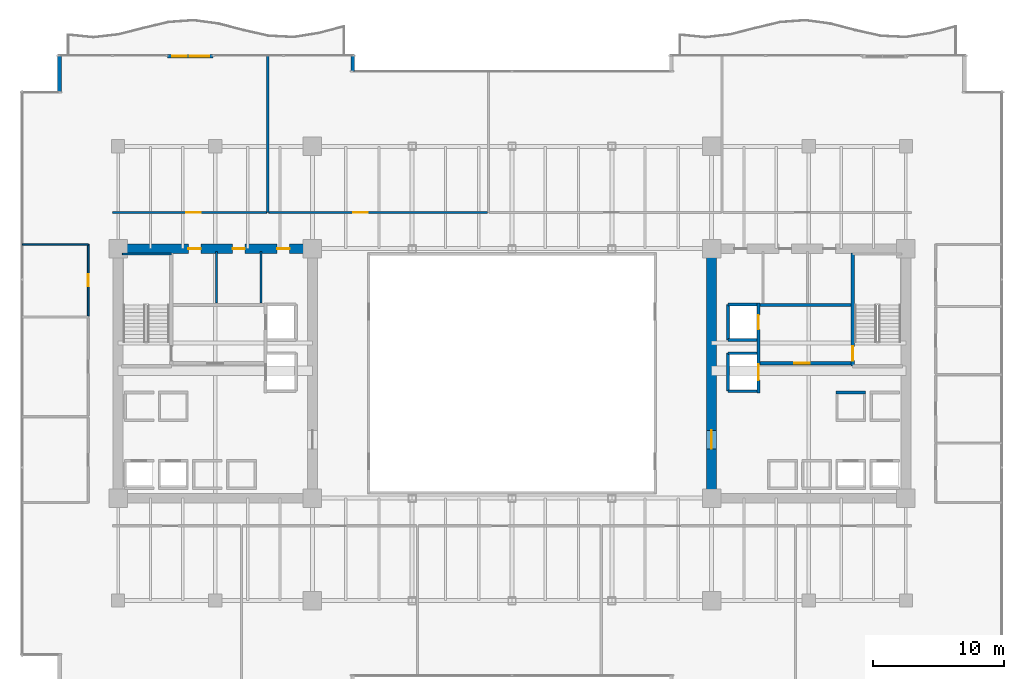
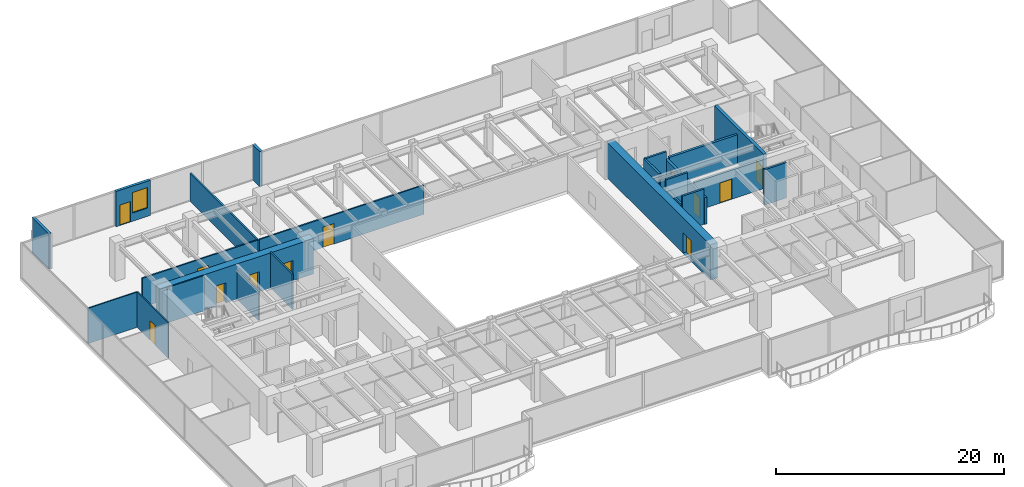
# One storey, part 26 of 31: 24 walls, 12 doors, 1 window, 13 openings.
"""IFC4 building model written with IfcOpenShell, lengths in metres."""

from ifc_helpers import new_model, si_unit, direction, frame, frame_2d, origin, place, context, subcontext, project, spatial, rectangle, extrude, source, transform, mapped, material, layer, layer_set, type_object, type_shapes, element, fill, save


model = new_model("IFC4")

# Units and contexts
model_context = context("Model", 3, precision=1e-05, world=origin(), true_north=direction((0.0, 1.0)))
body_context = subcontext(model_context, "Body", "Model", "MODEL_VIEW")
ifc_project = project(units=[si_unit("LENGTHUNIT", "METRE"), si_unit("AREAUNIT", "SQUARE_METRE"), si_unit("VOLUMEUNIT", "CUBIC_METRE"), si_unit("PLANEANGLEUNIT", "RADIAN"), si_unit("MASSUNIT", "GRAM", prefix="KILO")], contexts=[model_context])

# Site, building, storey
site_placement = place(None, origin())
site = spatial("IfcSite", under=ifc_project, at=site_placement, CompositionType="ELEMENT")
building_placement = place(site_placement, origin())
building = spatial("IfcBuilding", under=site, at=building_placement, Name="Haelvirn Gate Laboratories", CompositionType="ELEMENT")
storey_placement = place(building_placement, frame((0.0, 0.0, 62.10009765625)))
storey = spatial("IfcBuildingStorey", under=building, at=storey_placement, Name="L15", CompositionType="ELEMENT", Elevation=62.10009765625)

# Wall, openings, door, window
ifc_material_1 = material(Name="Thermally-broken bronze aluminium rainscreen & mineral wool", Category="aluminium")
ifc_layer_1 = layer(ifc_material_1, 0.280029296875, Name="EW-TERR-280")
ifc_layer_set_1 = layer_set([ifc_layer_1], Name="Thermally-broken bronze aluminium rainscreen & mineral wool")
wall_type_1 = type_object("IfcWallType", Name="EW-TERR-280", PredefinedType="STANDARD", material=ifc_layer_set_1)
wall_1_placement = place(storey_placement, frame((11.162109375, 48.4599609375, 0.0), z_axis=(0.0, 0.0, 1.0), x_axis=(1.0, 0.0, 0.0)))
wall_1 = element("IfcWall", 1, at=wall_1_placement, inside=storey, type_object=wall_type_1, Name="L15 Terrace Access Wall WB-WL-N", PredefinedType="STANDARD", context=body_context, shape_type="SweptSolid", body=[
    extrude(rectangle(XDim=3.4609375, YDim=0.280029296875, at=frame_2d((1.73046875, 0.0))), origin(), (0.0, 0.0, 1.0), 3.77978515625),
])
opening_1_placement = place(wall_1_placement, frame((0.3779296875, 0.0, 0.0)))
opening_1 = element("IfcOpeningElement", 2, at=opening_1_placement, cuts=wall_1, Name="Opening TD1", PredefinedType="OPENING", context=body_context, shape_type="SweptSolid", body=[
    extrude(rectangle(XDim=1.10009765625, YDim=2.199951171875, at=frame_2d((0.550048828125, 1.10009765625))), frame((0.0, 0.14990234375, 0.0), z_axis=(0.0, -1.0, 0.0), x_axis=(1.0, 0.0, 0.0)), (0.0, 0.0, 1.0), 0.300048828125),
])
opening_2_placement = place(wall_1_placement, frame((1.677978515625, 0.0, 0.89990234375)))
opening_2 = element("IfcOpeningElement", 3, at=opening_2_placement, cuts=wall_1, Name="Opening W3", PredefinedType="OPENING", context=body_context, shape_type="SweptSolid", body=[
    extrude(rectangle(XDim=1.5, YDim=2.199951171875, at=frame_2d((0.75, 1.10009765625))), frame((0.0, 0.14990234375, 0.0), z_axis=(0.0, -1.0, 0.0), x_axis=(1.0, 0.0, 0.0)), (0.0, 0.0, 1.0), 0.300048828125),
])
ifc_material_2 = material(Name="Thermally-broken bronze aluminium glazed terrace door", Category="aluminium")
door_type_1 = type_object("IfcDoorType", Name="DR-TERR-1100", OperationType="NOTDEFINED", PredefinedType="DOOR", material=ifc_material_2)
shared_shape_1 = source(origin(), body_context, "Body", "SweptSolid", [
    extrude(rectangle(XDim=1.10009765625, YDim=2.199951171875, at=frame_2d((0.550048828125, 1.10009765625))), frame((0.0, 0.02490234375, 0.0), z_axis=(0.0, -1.0, 0.0), x_axis=(1.0, 0.0, 0.0)), (0.0, 0.0, 1.0), 0.050048828125),
])
type_shapes(door_type_1, [shared_shape_1])
door_1_placement = place(opening_1_placement, origin())
door_1 = element("IfcDoor", 4, at=door_1_placement, inside=storey, type_object=door_type_1, Name="L15 Terrace Access Door WB-WL-N", OperationType="SINGLE_SWING_RIGHT", OverallHeight=2.199951171875, OverallWidth=1.10009765625, PredefinedType="DOOR", context=body_context, shape_type="MappedRepresentation", body=[
    mapped(shared_shape_1, transform((0.0, 0.0, 0.0), scale=1.0)),
])
fill(opening_1, door_1)
ifc_material_3 = material(Name="Bronze anodised aluminium & triple low-E glass", Category="aluminium")
window_type = type_object("IfcWindowType", Name="WIN-TERR-1600", PartitioningType="SINGLE_PANEL", PredefinedType="WINDOW", material=ifc_material_3)
shared_shape_2 = source(origin(), body_context, "Body", "SweptSolid", [
    extrude(rectangle(XDim=1.5, YDim=2.199951171875, at=frame_2d((0.75, 1.10009765625))), frame((0.0, 0.030029296875, 0.0), z_axis=(0.0, -1.0, 0.0), x_axis=(1.0, 0.0, 0.0)), (0.0, 0.0, 1.0), 0.06005859375),
])
type_shapes(window_type, [shared_shape_2])
window_placement = place(opening_2_placement, origin())
window = element("IfcWindow", 5, at=window_placement, inside=storey, type_object=window_type, Name="L15 Terrace Vision Window WB-WL-N", OverallHeight=2.199951171875, OverallWidth=1.5, PartitioningType="SINGLE_PANEL", PredefinedType="WINDOW", context=body_context, shape_type="MappedRepresentation", body=[
    mapped(shared_shape_2, transform((0.0, 0.0, 0.0), scale=1.0)),
])
fill(opening_2, window)

# Walls
wall_2_placement = place(storey_placement, frame((25.260009765625, 47.31201171875, 0.0), z_axis=(0.0, 0.0, 1.0), x_axis=(0.0, 1.0, 0.0)))
element("IfcWall", 6, at=wall_2_placement, inside=storey, type_object=wall_type_1, Name="L15 Atrium Recess Bronze Return Wall 13", PredefinedType="STANDARD", context=body_context, shape_type="SweptSolid", body=[
    extrude(rectangle(XDim=1.2880859375, YDim=0.280029296875, at=frame_2d((0.64404296875, 0.0))), origin(), (0.0, 0.0, 1.0), 3.77978515625),
])
wall_3_placement = place(storey_placement, frame((2.93994140625, 48.60009765625, 0.0), z_axis=(0.0, 0.0, 1.0), x_axis=(0.0, -1.0, 0.0)))
element("IfcWall", 7, at=wall_3_placement, inside=storey, type_object=wall_type_1, Name="L15 Atrium Recess Bronze Return Wall 15", PredefinedType="STANDARD", context=body_context, shape_type="SweptSolid", body=[
    extrude(rectangle(XDim=2.88818359375, YDim=0.280029296875, at=frame_2d((1.444091796875, 0.0))), origin(), (0.0, 0.0, 1.0), 3.77978515625),
])
ifc_material_4 = material(Name="Double-layer acoustic gypsum laboratory partition", Category="gypsum")
ifc_layer_2 = layer(ifc_material_4, 0.159912109375, Name="IW-ACOUST-160")
ifc_layer_set_2 = layer_set([ifc_layer_2], Name="Double-layer acoustic gypsum laboratory partition")
wall_type_2 = type_object("IfcWallType", Name="IW-ACOUST-160", PredefinedType="PARTITIONING", material=ifc_layer_set_2)
wall_4_placement = place(storey_placement, frame((18.800048828125, 36.56005859375, 0.0), z_axis=(0.0, 0.0, 1.0), x_axis=(0.0, 1.0, 0.0)))
element("IfcWall", 8, at=wall_4_placement, inside=storey, type_object=wall_type_2, Name="L15 Interior Wall IW-L15-NDIV-01", PredefinedType="PARTITIONING", context=body_context, shape_type="SweptSolid", body=[
    extrude(rectangle(XDim=11.929931640625, YDim=0.159912109375, at=frame_2d((5.96484375, 0.0))), origin(), (0.0, 0.0, 1.0), 3.014892578125),
])
ifc_material_5 = material(Name="Lightweight acoustic gypsum board partition", Category="gypsum")
ifc_layer_3 = layer(ifc_material_5, 0.1201171875, Name="IW-PART-120")
ifc_layer_set_3 = layer_set([ifc_layer_3], Name="Lightweight acoustic gypsum board partition")
wall_type_3 = type_object("IfcWallType", Name="IW-PART-120", PredefinedType="PARTITIONING", material=ifc_layer_set_3)
wall_5_placement = place(storey_placement, frame((0.110107421875, 34.135009765625, 0.0), z_axis=(0.0, 0.0, 1.0), x_axis=(1.0, 0.0, 0.0)))
element("IfcWall", 9, at=wall_5_placement, inside=storey, type_object=wall_type_3, Name="L15 Interior Wall IW-L15-WCAP-N", PredefinedType="PARTITIONING", context=body_context, shape_type="SweptSolid", body=[
    extrude(rectangle(XDim=5.019775390625, YDim=0.1201171875, at=frame_2d((2.509765625, 0.0))), origin(), (0.0, 0.0, 1.0), 3.77978515625),
])

# Wall, opening, door
wall_6_placement = place(storey_placement, frame((5.1298828125, 28.659912109375, 0.0), z_axis=(0.0, 0.0, 1.0), x_axis=(0.0, 1.0, 0.0)))
wall_6 = element("IfcWall", 10, at=wall_6_placement, inside=storey, type_object=wall_type_3, Name="L15 Interior Wall IW-L15-WPASS-03", PredefinedType="PARTITIONING", context=body_context, shape_type="SweptSolid", body=[
    extrude(rectangle(XDim=5.47509765625, YDim=0.1201171875, at=frame_2d((2.737548828125, 0.0))), origin(), (0.0, 0.0, 1.0), 3.77978515625),
])
opening_3_placement = place(wall_6_placement, frame((2.28759765625, 0.0, 0.0)))
opening_3 = element("IfcOpeningElement", 11, at=opening_3_placement, cuts=wall_6, Name="Opening D4", PredefinedType="OPENING", context=body_context, shape_type="SweptSolid", body=[
    extrude(rectangle(XDim=0.89990234375, YDim=2.10009765625, at=frame_2d((0.449951171875, 1.050048828125))), frame((0.0, 0.070068359375, 0.0), z_axis=(0.0, -1.0, 0.0), x_axis=(1.0, 0.0, 0.0)), (0.0, 0.0, 1.0), 0.14013671875),
])
ifc_material_6 = material(Name="Glazed aluminium-framed write-up door", Category="aluminium")
door_type_2 = type_object("IfcDoorType", Name="DR-OFF-900", OperationType="NOTDEFINED", PredefinedType="DOOR", material=ifc_material_6)
shared_shape_3 = source(origin(), body_context, "Body", "SweptSolid", [
    extrude(rectangle(XDim=0.89990234375, YDim=2.10009765625, at=frame_2d((0.449951171875, 1.050048828125))), frame((0.0, 0.02490234375, 0.0), z_axis=(0.0, -1.0, 0.0), x_axis=(1.0, 0.0, 0.0)), (0.0, 0.0, 1.0), 0.050048828125),
])
type_shapes(door_type_2, [shared_shape_3])
door_2_placement = place(opening_3_placement, origin())
door_2 = element("IfcDoor", 12, at=door_2_placement, inside=storey, type_object=door_type_2, Name="L15 Genomics Assay Laboratory Door W3", OperationType="SINGLE_SWING_LEFT", OverallHeight=2.10009765625, OverallWidth=0.89990234375, PredefinedType="DOOR", context=body_context, shape_type="MappedRepresentation", body=[
    mapped(shared_shape_3, transform((0.0, 0.0, 0.0), scale=1.0)),
])
fill(opening_3, door_2)

ifc_material_7 = material(Name="Acoustic mineral-wool gypsum board partition", Category="gypsum")
ifc_layer_4 = layer(ifc_material_7, 0.139892578125, Name="IW-PART-140")
ifc_layer_set_4 = layer_set([ifc_layer_4], Name="Acoustic mineral-wool gypsum board partition")
wall_type_4 = type_object("IfcWallType", Name="IW-PART-140", PredefinedType="PARTITIONING", material=ifc_layer_set_4)
wall_7_placement = place(storey_placement, frame((6.97998046875, 36.56005859375, 0.0), z_axis=(0.0, 0.0, 1.0), x_axis=(1.0, 0.0, 0.0)))
wall_7 = element("IfcWall", 13, at=wall_7_placement, inside=storey, type_object=wall_type_4, Name="L15 Interior Wall IW-L15-NCORR-01", PredefinedType="PARTITIONING", context=body_context, shape_type="SweptSolid", body=[
    extrude(rectangle(XDim=11.739990234375, YDim=0.139892578125, at=frame_2d((5.8701171875, 0.0))), origin(), (0.0, 0.0, 1.0), 3.114990234375),
])
opening_4_placement = place(wall_7_placement, frame((5.6181640625, 0.0, 0.0)))
opening_4 = element("IfcOpeningElement", 14, at=opening_4_placement, cuts=wall_7, Name="Opening D1", PredefinedType="OPENING", context=body_context, shape_type="SweptSolid", body=[
    extrude(rectangle(XDim=1.10009765625, YDim=2.179931640625, at=frame_2d((0.550048828125, 1.08984375))), frame((0.0, 0.080078125, 0.0), z_axis=(0.0, -1.0, 0.0), x_axis=(1.0, 0.0, 0.0)), (0.0, 0.0, 1.0), 0.159912109375),
])
ifc_material_8 = material(Name="Vision-panel acoustic solid-core timber lab door", Category="wood")
door_type_3 = type_object("IfcDoorType", Name="DR-LAB-1100", OperationType="NOTDEFINED", PredefinedType="DOOR", material=ifc_material_8)
shared_shape_4 = source(origin(), body_context, "Body", "SweptSolid", [
    extrude(rectangle(XDim=1.10009765625, YDim=2.179931640625, at=frame_2d((0.550048828125, 1.08984375))), frame((0.0, 0.02490234375, 0.0), z_axis=(0.0, -1.0, 0.0), x_axis=(1.0, 0.0, 0.0)), (0.0, 0.0, 1.0), 0.050048828125),
])
type_shapes(door_type_3, [shared_shape_4])
door_3_placement = place(opening_4_placement, origin())
door_3 = element("IfcDoor", 15, at=door_3_placement, inside=storey, type_object=door_type_3, Name="L15 Occupational Biosafety Clinic Door N1", OperationType="SINGLE_SWING_LEFT", OverallHeight=2.179931640625, OverallWidth=1.10009765625, PredefinedType="DOOR", context=body_context, shape_type="MappedRepresentation", body=[
    mapped(shared_shape_4, transform((0.0, 0.0, 0.0), scale=1.0)),
])
fill(opening_4, door_3)

wall_8_placement = place(storey_placement, frame((18.8798828125, 36.56005859375, 0.0), z_axis=(0.0, 0.0, 1.0), x_axis=(1.0, 0.0, 0.0)))
wall_8 = element("IfcWall", 16, at=wall_8_placement, inside=storey, type_object=wall_type_4, Name="L15 Interior Wall IW-L15-NCORR-02", PredefinedType="PARTITIONING", context=body_context, shape_type="SweptSolid", body=[
    extrude(rectangle(XDim=16.64013671875, YDim=0.139892578125, at=frame_2d((8.320068359375, 0.0))), origin(), (0.0, 0.0, 1.0), 3.114990234375),
])
opening_5_placement = place(wall_8_placement, frame((6.434326171875, 0.0, 0.0)))
opening_5 = element("IfcOpeningElement", 17, at=opening_5_placement, cuts=wall_8, Name="Opening D1", PredefinedType="OPENING", context=body_context, shape_type="SweptSolid", body=[
    extrude(rectangle(XDim=1.10009765625, YDim=2.179931640625, at=frame_2d((0.550048828125, 1.08984375))), frame((0.0, 0.080078125, 0.0), z_axis=(0.0, -1.0, 0.0), x_axis=(1.0, 0.0, 0.0)), (0.0, 0.0, 1.0), 0.159912109375),
])
door_4_placement = place(opening_5_placement, origin())
door_4 = element("IfcDoor", 18, at=door_4_placement, inside=storey, type_object=door_type_3, Name="L15 Floor Hydration & Tea Servery Door N2", OperationType="SINGLE_SWING_RIGHT", OverallHeight=2.179931640625, OverallWidth=1.10009765625, PredefinedType="DOOR", context=body_context, shape_type="MappedRepresentation", body=[
    mapped(shared_shape_4, transform((0.0, 0.0, 0.0), scale=1.0)),
])
fill(opening_5, door_4)

# Walls
ifc_material_9 = material(Name="Cement-board restroom plumbing chase wall", Category="gypsum")
ifc_layer_5 = layer(ifc_material_9, 0.155029296875, Name="IW-PLUMB-160")
ifc_layer_set_5 = layer_set([ifc_layer_5], Name="Cement-board restroom plumbing chase wall")
wall_type_5 = type_object("IfcWallType", Name="IW-PLUMB-160", PredefinedType="PLUMBINGWALL", material=ifc_layer_set_5)
wall_9_placement = place(storey_placement, frame((14.889892578125, 29.64990234375, 0.0), z_axis=(0.0, 0.0, 1.0), x_axis=(0.0, 1.0, 0.0)))
element("IfcWall", 19, at=wall_9_placement, inside=storey, type_object=wall_type_5, Name="L15 Interior Wall IW-L15-W-CDIV-1", PredefinedType="PLUMBINGWALL", context=body_context, shape_type="SweptSolid", body=[
    extrude(rectangle(XDim=3.93017578125, YDim=0.155029296875, at=frame_2d((1.965087890625, 0.0))), origin(), (0.0, 0.0, 1.0), 3.114990234375),
])
wall_10_placement = place(storey_placement, frame((18.2900390625, 29.64990234375, 0.0), z_axis=(0.0, 0.0, 1.0), x_axis=(0.0, 1.0, 0.0)))
element("IfcWall", 20, at=wall_10_placement, inside=storey, type_object=wall_type_5, Name="L15 Interior Wall IW-L15-W-CDIV-2", PredefinedType="PLUMBINGWALL", context=body_context, shape_type="SweptSolid", body=[
    extrude(rectangle(XDim=3.93017578125, YDim=0.155029296875, at=frame_2d((1.965087890625, 0.0))), origin(), (0.0, 0.0, 1.0), 3.77978515625),
])
ifc_material_10 = material(Name="Concrete C40/50", Category="concrete")
ifc_layer_6 = layer(ifc_material_10, 0.199951171875, Name="IW-SHAFT-200")
ifc_layer_set_6 = layer_set([ifc_layer_6], Name="Concrete C40/50")
wall_type_6 = type_object("IfcWallType", Name="IW-SHAFT-200", PredefinedType="SOLIDWALL", material=ifc_layer_set_6)
wall_11_placement = place(storey_placement, frame((62.070068359375, 22.85009765625, 0.0), z_axis=(0.0, 0.0, 1.0), x_axis=(1.0, 0.0, 0.0)))
element("IfcWall", 21, at=wall_11_placement, inside=storey, type_object=wall_type_6, Name="L15 Interior Wall IW-L15-PL12-BK", PredefinedType="SOLIDWALL", context=body_context, shape_type="SweptSolid", body=[
    extrude(rectangle(XDim=2.260009765625, YDim=0.199951171875, at=frame_2d((1.1298828125, 0.0))), origin(), (0.0, 0.0, 1.0), 3.77978515625),
])
wall_12_placement = place(storey_placement, frame((53.85009765625, 26.85009765625, 0.0), z_axis=(0.0, 0.0, 1.0), x_axis=(0.0, 1.0, 0.0)))
element("IfcWall", 22, at=wall_12_placement, inside=storey, type_object=wall_type_6, Name="L15 Interior Wall IW-L15-FL2-BK", PredefinedType="SOLIDWALL", context=body_context, shape_type="SweptSolid", body=[
    extrude(rectangle(XDim=2.699951171875, YDim=0.199951171875, at=frame_2d((1.35009765625, 0.0))), origin(), (0.0, 0.0, 1.0), 3.77978515625),
])
wall_13_placement = place(storey_placement, frame((53.85009765625, 29.550048828125, 0.0), z_axis=(0.0, 0.0, 1.0), x_axis=(1.0, 0.0, 0.0)))
element("IfcWall", 23, at=wall_13_placement, inside=storey, type_object=wall_type_6, Name="L15 Interior Wall IW-L15-FL2-N", PredefinedType="SOLIDWALL", context=body_context, shape_type="SweptSolid", body=[
    extrude(rectangle(XDim=2.18994140625, YDim=0.199951171875, at=frame_2d((1.094970703125, 0.0))), origin(), (0.0, 0.0, 1.0), 3.77978515625),
])
wall_14_placement = place(storey_placement, frame((53.85009765625, 26.85009765625, 0.0), z_axis=(0.0, 0.0, 1.0), x_axis=(1.0, 0.0, 0.0)))
element("IfcWall", 24, at=wall_14_placement, inside=storey, type_object=wall_type_6, Name="L15 Interior Wall IW-L15-FL2-S", PredefinedType="SOLIDWALL", context=body_context, shape_type="SweptSolid", body=[
    extrude(rectangle(XDim=2.18994140625, YDim=0.199951171875, at=frame_2d((1.094970703125, 0.0))), origin(), (0.0, 0.0, 1.0), 3.177001953125),
])
wall_15_placement = place(storey_placement, frame((53.85009765625, 22.949951171875, 0.0), z_axis=(0.0, 0.0, 1.0), x_axis=(0.0, 1.0, 0.0)))
element("IfcWall", 25, at=wall_15_placement, inside=storey, type_object=wall_type_6, Name="L15 Interior Wall IW-L15-SL2-BK", PredefinedType="SOLIDWALL", context=body_context, shape_type="SweptSolid", body=[
    extrude(rectangle(XDim=2.900146484375, YDim=0.199951171875, at=frame_2d((1.4501953125, 0.0))), origin(), (0.0, 0.0, 1.0), 2.864990234375),
])
for number, where, z_axis, x_axis, name in (
    (26, (53.85009765625, 25.85009765625, 0.0), (0.0, 0.0, 1.0), (1.0, 0.0, 0.0), "L15 Interior Wall IW-L15-SL2-N"),
    (27, (53.85009765625, 22.949951171875, 0.0), (0.0, 0.0, 1.0), (1.0, 0.0, 0.0), "L15 Interior Wall IW-L15-SL2-S"),
):
    element("IfcWall", number, at=place(storey_placement, frame(where, z_axis=z_axis, x_axis=x_axis)), inside=storey, type_object=wall_type_6, Name=name, PredefinedType="SOLIDWALL", context=body_context, shape_type="SweptSolid", body=[
        extrude(rectangle(XDim=2.18994140625, YDim=0.199951171875, at=frame_2d((1.094970703125, 0.0))), origin(), (0.0, 0.0, 1.0), 3.77978515625),
    ])

# Wall, opening, door
ifc_layer_7 = layer(ifc_material_10, 0.239990234375, Name="IW-SHAFT-240")
ifc_layer_set_7 = layer_set([ifc_layer_7], Name="Concrete C40/50")
wall_type_7 = type_object("IfcWallType", Name="IW-SHAFT-240", PredefinedType="SOLIDWALL", material=ifc_layer_set_7)
wall_16_placement = place(storey_placement, frame((56.280029296875, 25.080078125, 0.0), z_axis=(0.0, 0.0, 1.0), x_axis=(1.0, 0.0, 0.0)))
wall_16 = element("IfcWall", 28, at=wall_16_placement, inside=storey, type_object=wall_type_7, Name="L15 Interior Wall IW-L15-E-FF-S", PredefinedType="SOLIDWALL", context=body_context, shape_type="SweptSolid", body=[
    extrude(rectangle(XDim=6.919921875, YDim=0.239990234375, at=frame_2d((3.4599609375, 0.0))), origin(), (0.0, 0.0, 1.0), 3.114990234375),
])
opening_6_placement = place(wall_16_placement, frame((2.60009765625, 0.0, 0.0)))
opening_6 = element("IfcOpeningElement", 29, at=opening_6_placement, cuts=wall_16, Name="Opening FD2", PredefinedType="OPENING", context=body_context, shape_type="SweptSolid", body=[
    extrude(rectangle(XDim=1.199951171875, YDim=2.159912109375, at=frame_2d((0.60009765625, 1.080078125))), frame((0.0, 0.1298828125, 0.0), z_axis=(0.0, -1.0, 0.0), x_axis=(1.0, 0.0, 0.0)), (0.0, 0.0, 1.0), 0.260009765625),
])
ifc_material_11 = material(Name="Fire-rated steel SM355 compartment door", Category="steel")
door_type_4 = type_object("IfcDoorType", Name="DR-FD-1200", OperationType="NOTDEFINED", PredefinedType="DOOR", material=ifc_material_11)
shared_shape_5 = source(origin(), body_context, "Body", "SweptSolid", [
    extrude(rectangle(XDim=1.199951171875, YDim=2.159912109375, at=frame_2d((0.60009765625, 1.080078125))), frame((0.0, 0.02490234375, 0.0), z_axis=(0.0, -1.0, 0.0), x_axis=(1.0, 0.0, 0.0)), (0.0, 0.0, 1.0), 0.050048828125),
])
type_shapes(door_type_4, [shared_shape_5])
door_5_placement = place(opening_6_placement, origin())
door_5 = element("IfcDoor", 30, at=door_5_placement, inside=storey, type_object=door_type_4, Name="L15 East Firefighting Lobby Door", OperationType="SINGLE_SWING_LEFT", OverallHeight=2.159912109375, OverallWidth=1.199951171875, PredefinedType="DOOR", context=body_context, shape_type="MappedRepresentation", body=[
    mapped(shared_shape_5, transform((0.0, 0.0, 0.0), scale=1.0)),
])
fill(opening_6, door_5)

# Wall
wall_17_placement = place(storey_placement, frame((56.280029296875, 29.52001953125, 0.0), z_axis=(0.0, 0.0, 1.0), x_axis=(1.0, 0.0, 0.0)))
element("IfcWall", 31, at=wall_17_placement, inside=storey, type_object=wall_type_7, Name="L15 Interior Wall IW-L15-E-FF-N", PredefinedType="SOLIDWALL", context=body_context, shape_type="SweptSolid", body=[
    extrude(rectangle(XDim=6.919921875, YDim=0.239990234375, at=frame_2d((3.4599609375, 0.0))), origin(), (0.0, 0.0, 1.0), 3.114990234375),
])

# Wall, openings, doors
wall_18_placement = place(storey_placement, frame((56.159912109375, 22.800048828125, 0.0), z_axis=(0.0, 0.0, 1.0), x_axis=(0.0, 1.0, 0.0)))
wall_18 = element("IfcWall", 32, at=wall_18_placement, inside=storey, type_object=wall_type_7, Name="L15 Interior Wall IW-L15-E-FF-E", PredefinedType="SOLIDWALL", context=body_context, shape_type="SweptSolid", body=[
    extrude(rectangle(XDim=6.849853515625, YDim=0.239990234375, at=frame_2d((3.4248046875, 0.0))), origin(), (0.0, 0.0, 1.0), 2.864990234375),
])
opening_7_placement = place(wall_18_placement, frame((4.85009765625, 0.0, 0.0)))
opening_7 = element("IfcOpeningElement", 33, at=opening_7_placement, cuts=wall_18, Name="Opening LD2", PredefinedType="OPENING", context=body_context, shape_type="SweptSolid", body=[
    extrude(rectangle(XDim=1.10009765625, YDim=2.219970703125, at=frame_2d((0.550048828125, 1.10986328125))), frame((0.0, 0.1298828125, 0.0), z_axis=(0.0, -1.0, 0.0), x_axis=(1.0, 0.0, 0.0)), (0.0, 0.0, 1.0), 0.260009765625),
])
opening_8_placement = place(wall_18_placement, frame((1.0, 0.0, 0.0)))
opening_8 = element("IfcOpeningElement", 34, at=opening_8_placement, cuts=wall_18, Name="Opening LD1", PredefinedType="OPENING", context=body_context, shape_type="SweptSolid", body=[
    extrude(rectangle(XDim=1.199951171875, YDim=2.219970703125, at=frame_2d((0.60009765625, 1.10986328125))), frame((0.0, 0.1298828125, 0.0), z_axis=(0.0, -1.0, 0.0), x_axis=(1.0, 0.0, 0.0)), (0.0, 0.0, 1.0), 0.260009765625),
])
ifc_material_12 = material(Name="Bronze stainless 316L sliding lift landing door")
door_type_5 = type_object("IfcDoorType", Name="DR-LD-1100", OperationType="NOTDEFINED", PredefinedType="USERDEFINED", material=ifc_material_12)
shared_shape_6 = source(origin(), body_context, "Body", "SweptSolid", [
    extrude(rectangle(XDim=1.10009765625, YDim=2.219970703125, at=frame_2d((0.550048828125, 1.10986328125))), frame((0.0, 0.02490234375, 0.0), z_axis=(0.0, -1.0, 0.0), x_axis=(1.0, 0.0, 0.0)), (0.0, 0.0, 1.0), 0.050048828125),
])
type_shapes(door_type_5, [shared_shape_6])
door_6_placement = place(opening_7_placement, origin())
door_6 = element("IfcDoor", 35, at=door_6_placement, inside=storey, type_object=door_type_5, Name="L15 Firefighting Lift FL2 Landing Door", ObjectType="LANDING_DOOR", OperationType="SLIDING_TO_RIGHT", OverallHeight=2.219970703125, OverallWidth=1.10009765625, PredefinedType="USERDEFINED", context=body_context, shape_type="MappedRepresentation", body=[
    mapped(shared_shape_6, transform((0.0, 0.0, 0.0), scale=1.0)),
])
fill(opening_7, door_6)
ifc_material_13 = material(Name="Stainless steel 316L sliding goods landing door", Category="steel")
door_type_6 = type_object("IfcDoorType", Name="DR-LD-1200", OperationType="NOTDEFINED", PredefinedType="USERDEFINED", material=ifc_material_13)
shared_shape_7 = source(origin(), body_context, "Body", "SweptSolid", [
    extrude(rectangle(XDim=1.199951171875, YDim=2.219970703125, at=frame_2d((0.60009765625, 1.10986328125))), frame((0.0, 0.02490234375, 0.0), z_axis=(0.0, -1.0, 0.0), x_axis=(1.0, 0.0, 0.0)), (0.0, 0.0, 1.0), 0.050048828125),
])
type_shapes(door_type_6, [shared_shape_7])
door_7_placement = place(opening_8_placement, origin())
door_7 = element("IfcDoor", 36, at=door_7_placement, inside=storey, type_object=door_type_6, Name="L15 Service Lift SL2 Landing Door", ObjectType="LANDING_DOOR", OperationType="SLIDING_TO_LEFT", OverallHeight=2.219970703125, OverallWidth=1.199951171875, PredefinedType="USERDEFINED", context=body_context, shape_type="MappedRepresentation", body=[
    mapped(shared_shape_7, transform((0.0, 0.0, 0.0), scale=1.0)),
])
fill(opening_8, door_7)

ifc_material_14 = material(Name="Concrete C70/85", Category="concrete")
ifc_layer_8 = layer(ifc_material_14, 0.75, Name="SW-CORE-750")
ifc_layer_set_8 = layer_set([ifc_layer_8], Name="Concrete C70/85")
wall_type_8 = type_object("IfcWallType", Name="SW-CORE-750", PredefinedType="SHEAR", material=ifc_layer_set_8)
wall_19_placement = place(storey_placement, frame((7.02490234375, 33.800048828125, 0.0), z_axis=(0.0, 0.0, 1.0), x_axis=(1.0, 0.0, 0.0)))
wall_19 = element("IfcWall", 37, at=wall_19_placement, inside=storey, type_object=wall_type_8, Name="L15 W Core Shear Wall N", PredefinedType="SHEAR", context=body_context, shape_type="SweptSolid", body=[
    extrude(rectangle(XDim=15.550048828125, YDim=0.75, at=frame_2d((7.77490234375, 0.0))), origin(), (0.0, 0.0, 1.0), 3.77978515625),
])
opening_9_placement = place(wall_19_placement, frame((5.72509765625, 0.0, 0.0)))
opening_9 = element("IfcOpeningElement", 38, at=opening_9_placement, cuts=wall_19, Name="Opening FD4", PredefinedType="OPENING", context=body_context, shape_type="SweptSolid", body=[
    extrude(rectangle(XDim=0.949951171875, YDim=2.14990234375, at=frame_2d((0.47509765625, 1.074951171875))), frame((0.0, 0.385009765625, 0.0), z_axis=(0.0, -1.0, 0.0), x_axis=(1.0, 0.0, 0.0)), (0.0, 0.0, 1.0), 0.77001953125),
])
opening_10_placement = place(wall_19_placement, frame((9.090087890625, 0.0, 0.0)))
opening_10 = element("IfcOpeningElement", 39, at=opening_10_placement, cuts=wall_19, Name="Opening FD4", PredefinedType="OPENING", context=body_context, shape_type="SweptSolid", body=[
    extrude(rectangle(XDim=0.949951171875, YDim=2.14990234375, at=frame_2d((0.47509765625, 1.074951171875))), frame((0.0, 0.385009765625, 0.0), z_axis=(0.0, -1.0, 0.0), x_axis=(1.0, 0.0, 0.0)), (0.0, 0.0, 1.0), 0.77001953125),
])
opening_11_placement = place(wall_19_placement, frame((12.489990234375, 0.0, 0.0)))
opening_11 = element("IfcOpeningElement", 40, at=opening_11_placement, cuts=wall_19, Name="Opening FD4", PredefinedType="OPENING", context=body_context, shape_type="SweptSolid", body=[
    extrude(rectangle(XDim=0.949951171875, YDim=2.14990234375, at=frame_2d((0.47509765625, 1.074951171875))), frame((0.0, 0.385009765625, 0.0), z_axis=(0.0, -1.0, 0.0), x_axis=(1.0, 0.0, 0.0)), (0.0, 0.0, 1.0), 0.77001953125),
])
ifc_material_15 = material(Name="Fire-rated steel SM355 core service door", Category="steel")
door_type_7 = type_object("IfcDoorType", Name="DR-FD-950", OperationType="NOTDEFINED", PredefinedType="DOOR", material=ifc_material_15)
shared_shape_8 = source(origin(), body_context, "Body", "SweptSolid", [
    extrude(rectangle(XDim=0.949951171875, YDim=2.14990234375, at=frame_2d((0.47509765625, 1.074951171875))), frame((0.0, 0.02490234375, 0.0), z_axis=(0.0, -1.0, 0.0), x_axis=(1.0, 0.0, 0.0)), (0.0, 0.0, 1.0), 0.050048828125),
])
type_shapes(door_type_7, [shared_shape_8])
door_8_placement = place(opening_9_placement, origin())
door_8 = element("IfcDoor", 41, at=door_8_placement, inside=storey, type_object=door_type_7, Name="L15 Male Restroom Fire Door", OperationType="SINGLE_SWING_RIGHT", OverallHeight=2.14990234375, OverallWidth=0.949951171875, PredefinedType="DOOR", context=body_context, shape_type="MappedRepresentation", body=[
    mapped(shared_shape_8, transform((0.0, 0.0, 0.0), scale=1.0)),
])
fill(opening_9, door_8)
door_9_placement = place(opening_10_placement, origin())
door_9 = element("IfcDoor", 42, at=door_9_placement, inside=storey, type_object=door_type_7, Name="L15 Female Restroom Fire Door", OperationType="SINGLE_SWING_LEFT", OverallHeight=2.14990234375, OverallWidth=0.949951171875, PredefinedType="DOOR", context=body_context, shape_type="MappedRepresentation", body=[
    mapped(shared_shape_8, transform((0.0, 0.0, 0.0), scale=1.0)),
])
fill(opening_10, door_9)
door_10_placement = place(opening_11_placement, origin())
door_10 = element("IfcDoor", 43, at=door_10_placement, inside=storey, type_object=door_type_7, Name="L15 Accessible Restroom Fire Door", OperationType="SINGLE_SWING_RIGHT", OverallHeight=2.14990234375, OverallWidth=0.949951171875, PredefinedType="DOOR", context=body_context, shape_type="MappedRepresentation", body=[
    mapped(shared_shape_8, transform((0.0, 0.0, 0.0), scale=1.0)),
])
fill(opening_11, door_10)

# Wall, opening, door
wall_20_placement = place(storey_placement, frame((52.60009765625, 15.175048828125, 0.0), z_axis=(0.0, 0.0, 1.0), x_axis=(0.0, 1.0, 0.0)))
wall_20 = element("IfcWall", 44, at=wall_20_placement, inside=storey, type_object=wall_type_8, Name="L15 E Core Shear Wall W", PredefinedType="SHEAR", context=body_context, shape_type="SweptSolid", body=[
    extrude(rectangle(XDim=18.25, YDim=0.75, at=frame_2d((9.125, 0.0))), origin(), (0.0, 0.0, 1.0), 3.77978515625),
])
opening_12_placement = place(wall_20_placement, frame((3.375, 0.0, 0.0)))
opening_12 = element("IfcOpeningElement", 45, at=opening_12_placement, cuts=wall_20, Name="Opening FD1", PredefinedType="OPENING", context=body_context, shape_type="SweptSolid", body=[
    extrude(rectangle(XDim=1.419921875, YDim=2.199951171875, at=frame_2d((0.7099609375, 1.10009765625))), frame((0.0, 0.385009765625, 0.0), z_axis=(0.0, -1.0, 0.0), x_axis=(1.0, 0.0, 0.0)), (0.0, 0.0, 1.0), 0.77001953125),
])
ifc_material_16 = material(Name="Fire-rated double steel SM355 lobby door", Category="steel")
door_type_8 = type_object("IfcDoorType", Name="DR-FD-1400", OperationType="NOTDEFINED", PredefinedType="DOOR", material=ifc_material_16)
shared_shape_9 = source(origin(), body_context, "Body", "SweptSolid", [
    extrude(rectangle(XDim=1.419921875, YDim=2.199951171875, at=frame_2d((0.7099609375, 1.10009765625))), frame((0.0, 0.02490234375, 0.0), z_axis=(0.0, -1.0, 0.0), x_axis=(1.0, 0.0, 0.0)), (0.0, 0.0, 1.0), 0.050048828125),
])
type_shapes(door_type_8, [shared_shape_9])
door_11_placement = place(opening_12_placement, origin())
door_11 = element("IfcDoor", 46, at=door_11_placement, inside=storey, type_object=door_type_8, Name="L15 East Core Lift Lobby Fire Door", OperationType="DOUBLE_DOOR_SINGLE_SWING", OverallHeight=2.199951171875, OverallWidth=1.419921875, PredefinedType="DOOR", context=body_context, shape_type="MappedRepresentation", body=[
    mapped(shared_shape_9, transform((0.0, 0.0, 0.0), scale=1.0)),
])
fill(opening_12, door_11)

# Wall
ifc_material_17 = material(Name="Concrete C50/60", Category="concrete")
ifc_layer_9 = layer(ifc_material_17, 0.1201171875, Name="SW-LINER-120")
ifc_layer_set_9 = layer_set([ifc_layer_9], Name="Concrete C50/60")
wall_type_9 = type_object("IfcWallType", Name="SW-LINER-120", PredefinedType="SOLIDWALL", material=ifc_layer_set_9)
wall_21_placement = place(storey_placement, frame((7.72998046875, 33.39990234375, 0.0), z_axis=(0.0, 0.0, 1.0), x_axis=(1.0, 0.0, 0.0)))
element("IfcWall", 47, at=wall_21_placement, inside=storey, type_object=wall_type_9, Name="L15 W Core Stair Shaft Liner Wall N", PredefinedType="SOLIDWALL", context=body_context, shape_type="SweptSolid", body=[
    extrude(rectangle(XDim=3.719970703125, YDim=0.1201171875, at=frame_2d((1.85986328125, 0.0))), origin(), (0.0, 0.0, 1.0), 3.77978515625),
])

# Wall, opening, door
ifc_layer_10 = layer(ifc_material_17, 0.300048828125, Name="SW-STAIR-300")
ifc_layer_set_10 = layer_set([ifc_layer_10], Name="Concrete C50/60")
wall_type_10 = type_object("IfcWallType", Name="SW-STAIR-300", PredefinedType="SHEAR", material=ifc_layer_set_10)
wall_22_placement = place(storey_placement, frame((63.35009765625, 24.85009765625, 0.0), z_axis=(0.0, 0.0, 1.0), x_axis=(0.0, 1.0, 0.0)))
wall_22 = element("IfcWall", 48, at=wall_22_placement, inside=storey, type_object=wall_type_10, Name="L15 E Core Stair Shaft Structural Wall IN", PredefinedType="SHEAR", context=body_context, shape_type="SweptSolid", body=[
    extrude(rectangle(XDim=8.6298828125, YDim=0.300048828125, at=frame_2d((4.31494140625, 0.0))), origin(), (0.0, 0.0, 1.0), 3.77978515625),
])
opening_13_placement = place(wall_22_placement, frame((0.419921875, 0.0, 0.0)))
opening_13 = element("IfcOpeningElement", 49, at=opening_13_placement, cuts=wall_22, Name="Opening FD3", PredefinedType="OPENING", context=body_context, shape_type="SweptSolid", body=[
    extrude(rectangle(XDim=1.10009765625, YDim=2.14990234375, at=frame_2d((0.550048828125, 1.074951171875))), frame((0.0, 0.16015625, 0.0), z_axis=(0.0, -1.0, 0.0), x_axis=(1.0, 0.0, 0.0)), (0.0, 0.0, 1.0), 0.320068359375),
])
ifc_material_18 = material(Name="Fire-rated steel SM355 escape stair door", Category="steel")
door_type_9 = type_object("IfcDoorType", Name="DR-FD-1100", OperationType="NOTDEFINED", PredefinedType="DOOR", material=ifc_material_18)
shared_shape_10 = source(origin(), body_context, "Body", "SweptSolid", [
    extrude(rectangle(XDim=1.10009765625, YDim=2.14990234375, at=frame_2d((0.550048828125, 1.074951171875))), frame((0.0, 0.02490234375, 0.0), z_axis=(0.0, -1.0, 0.0), x_axis=(1.0, 0.0, 0.0)), (0.0, 0.0, 1.0), 0.050048828125),
])
type_shapes(door_type_9, [shared_shape_10])
door_12_placement = place(opening_13_placement, origin())
door_12 = element("IfcDoor", 50, at=door_12_placement, inside=storey, type_object=door_type_9, Name="L15 Escape Stair ST2 Fire Door", OperationType="SINGLE_SWING_RIGHT", OverallHeight=2.14990234375, OverallWidth=1.10009765625, PredefinedType="DOOR", context=body_context, shape_type="MappedRepresentation", body=[
    mapped(shared_shape_10, transform((0.0, 0.0, 0.0), scale=1.0)),
])
fill(opening_13, door_12)

save(model, "model.ifc")
